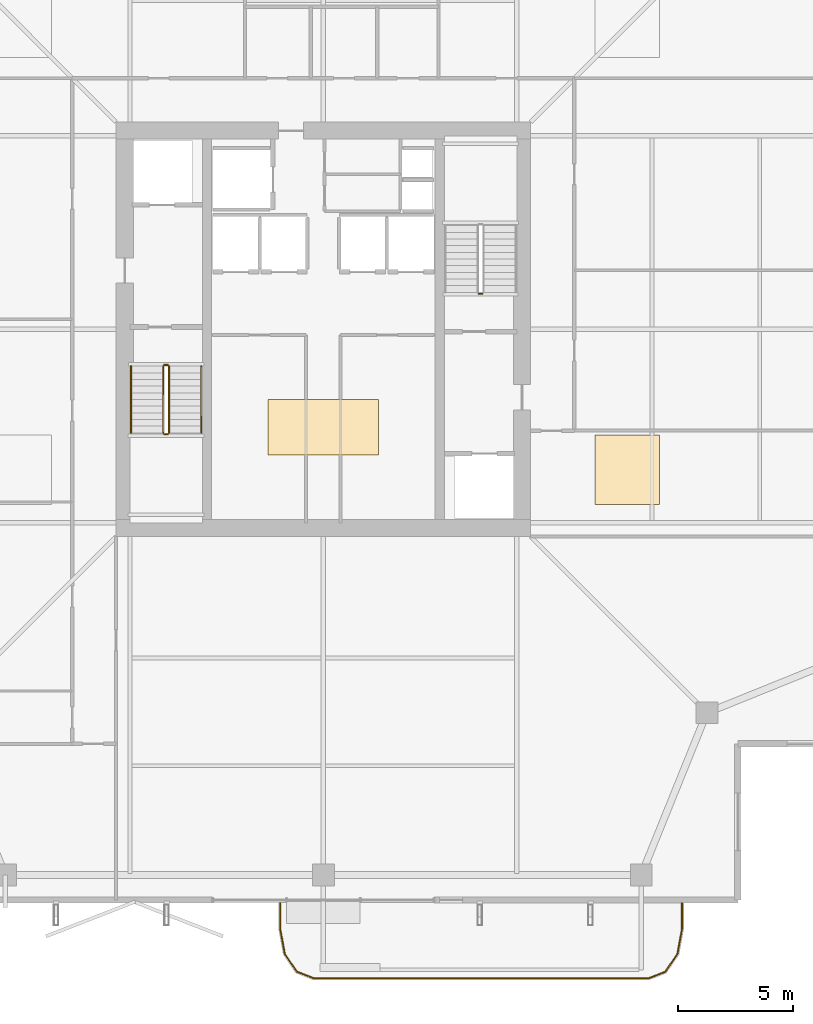
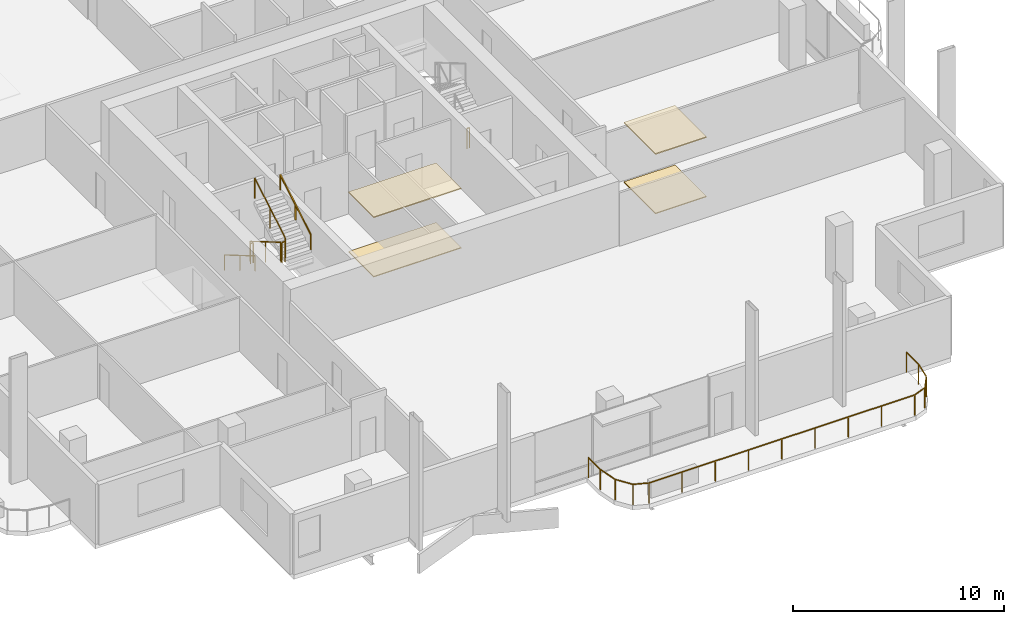
# One storey, part 23 of 25: 8 railings, 4 coverings.
"""IFC4 building model written with IfcOpenShell, lengths in metres."""

import ifcopenshell
import ifcopenshell.guid

model = None  # the IFC model being written
_history = None  # IfcOwnerHistory: only IFC2X3 demands one
_inside = {}  # id of a spatial element -> (the spatial element, [elements in it])
_under = {}  # id of a project, library or spatial element -> (it, [spatial elements below it])
_declared = {}  # id of a project -> (the project, [libraries it declares])
_typed = {}  # id of a type object -> (the type object, [elements of that type])
_made_of = {}  # id of a material, layer set ... -> (it, [elements and type objects made of it])


def new_model(schema):
    """Start an empty IFC model of exactly this schema.

    Asked for "IFC4X3", IfcOpenShell would pick the latest addendum, in which some entities
    have other attributes; the version numbers below select the first issue.
    IFC2X3 requires an IfcOwnerHistory on every rooted entity: one is made here for all.
    """
    global model, _history
    if schema == "IFC4X3":
        model = ifcopenshell.file(schema_version=(4, 3, 0, 0))
    else:
        model = ifcopenshell.file(schema=schema)
    _inside.clear()
    _under.clear()
    _declared.clear()
    _typed.clear()
    _made_of.clear()
    _history = None
    if model.schema == "IFC2X3":
        org = make("IfcOrganization", Name="unknown")
        user = make(
            "IfcPersonAndOrganization",
            ThePerson=make("IfcPerson", FamilyName="unknown"),
            TheOrganization=org,
        )
        app = make(
            "IfcApplication",
            ApplicationDeveloper=org,
            Version="unknown",
            ApplicationFullName="unknown",
            ApplicationIdentifier="unknown",
        )
        _history = make(
            "IfcOwnerHistory",
            OwningUser=user,
            OwningApplication=app,
            ChangeAction="ADDED",
            CreationDate=0,
        )
    return model


def make(cls, **values):
    """One entity of the class cls with the attributes given. An attribute that is None is left unset."""
    return model.create_entity(
        cls, **{name: value for name, value in values.items() if value is not None}
    )


def rooted(cls, **values):
    """An entity with a GlobalId (a new one), such as an element, a storey or a relation."""
    return make(cls, GlobalId=ifcopenshell.guid.new(), OwnerHistory=_history, **values)


def si_unit(unit_type, name, prefix=None):
    """IfcSIUnit, for example si_unit("LENGTHUNIT", "METRE", prefix="MILLI")."""
    return make("IfcSIUnit", UnitType=unit_type, Prefix=prefix, Name=name)


def assignment(units):
    """IfcUnitAssignment: the units of a project."""
    return None if units is None else make("IfcUnitAssignment", Units=units)


def point(xyz):
    """IfcCartesianPoint."""
    return None if xyz is None else make("IfcCartesianPoint", Coordinates=xyz)


def direction(xyz):
    """IfcDirection."""
    return None if xyz is None else make("IfcDirection", DirectionRatios=xyz)


def frame(location, z_axis=None, x_axis=None):
    """IfcAxis2Placement3D, a coordinate frame: its origin and axes. An axis left out is left unset."""
    return make(
        "IfcAxis2Placement3D",
        Location=point(location),
        Axis=direction(z_axis),
        RefDirection=direction(x_axis),
    )


def frame_2d(location, x_axis=None):
    """IfcAxis2Placement2D, a coordinate frame in the plane: its origin and x axis."""
    return make(
        "IfcAxis2Placement2D", Location=point(location), RefDirection=direction(x_axis)
    )


def origin():
    """The frame at (0, 0, 0) with its axes left unset."""
    return frame((0.0, 0.0, 0.0))


def origin_2d():
    """The frame at (0, 0) in the plane with its x axis left unset."""
    return frame_2d((0.0, 0.0))


def place(relative_to, where):
    """IfcLocalPlacement: puts the frame where relative to a parent placement (None: the world)."""
    return make(
        "IfcLocalPlacement", PlacementRelTo=relative_to, RelativePlacement=where
    )


def context(
    kind, dimensions, precision=None, world=None, true_north=None, identifier=None
):
    """IfcGeometricRepresentationContext, for example the 3D "Model" context."""
    return make(
        "IfcGeometricRepresentationContext",
        ContextIdentifier=identifier,
        ContextType=kind,
        CoordinateSpaceDimension=dimensions,
        Precision=precision,
        WorldCoordinateSystem=world,
        TrueNorth=true_north,
    )


def subcontext(parent, identifier, kind, view, scale=None):
    """IfcGeometricRepresentationSubContext, for example "Body" below "Model"."""
    return make(
        "IfcGeometricRepresentationSubContext",
        ContextIdentifier=identifier,
        ContextType=kind,
        ParentContext=parent,
        TargetScale=scale,
        TargetView=view,
    )


def project(units=None, contexts=None):
    """IfcProject with its units and contexts."""
    return rooted(
        "IfcProject",
        Name="project",
        RepresentationContexts=contexts,
        UnitsInContext=assignment(units),
    )


def spatial(cls, under=None, at=None, **own):
    """A site, building, storey or space (cls), placed at a placement, below another one or the project."""
    s = rooted(cls, ObjectPlacement=at, **own)
    if under is not None:
        _under.setdefault(under.id(), (under, []))[1].append(s)
    return s


def polyline(points):
    """IfcPolyline through the points."""
    return make("IfcPolyline", Points=[point(p) for p in points])


def profile(cls, at=None, kind="AREA", **sizes):
    """A parametric profile (cls). Its sizes go by their IFC names, for example OverallWidth=200.0."""
    return make(cls, ProfileType=kind, Position=at, **sizes)


def rectangle(**sizes):
    """IfcRectangleProfileDef."""
    return profile("IfcRectangleProfileDef", **sizes)


def outline(outer, holes=None, kind="AREA"):
    """IfcArbitraryClosedProfileDef: a profile drawn as a closed curve; with holes, ...WithVoids."""
    if holes is None:
        return make("IfcArbitraryClosedProfileDef", ProfileType=kind, OuterCurve=outer)
    return make(
        "IfcArbitraryProfileDefWithVoids",
        ProfileType=kind,
        OuterCurve=outer,
        InnerCurves=holes,
    )


def extrude(swept, where, along, depth):
    """IfcExtrudedAreaSolid: the profile swept, set in the frame where, extruded along a direction by depth."""
    return make(
        "IfcExtrudedAreaSolid",
        SweptArea=swept,
        Position=where,
        ExtrudedDirection=direction(along),
        Depth=depth,
    )


def shape(context_of_items, identifier, shape_type, items):
    """IfcShapeRepresentation: the items that make up one representation, for example the "Body"."""
    return make(
        "IfcShapeRepresentation",
        ContextOfItems=context_of_items,
        RepresentationIdentifier=identifier,
        RepresentationType=shape_type,
        Items=items,
    )


def material(Name=None, Category=None):
    """IfcMaterial."""
    return make("IfcMaterial", Name=Name, Category=Category)


def layer(
    of_material, thickness, ventilated=None, Name=None, Category=None, Priority=None
):
    """IfcMaterialLayer: one layer of a wall or slab, of a material (None: an air gap)."""
    return make(
        "IfcMaterialLayer",
        Material=of_material,
        LayerThickness=thickness,
        IsVentilated=ventilated,
        Name=Name,
        Category=Category,
        Priority=Priority,
    )


def layer_set(layers, Name=None):
    """IfcMaterialLayerSet."""
    return make("IfcMaterialLayerSet", MaterialLayers=layers, LayerSetName=Name)


def made_of(thing, what):
    """Note that an element or type object is made of a material, layer set ...; save() writes the relation."""
    if what is not None:
        _made_of.setdefault(what.id(), (what, []))[1].append(thing)
    return thing


def type_object(cls, material=None, **own):
    """A type object (cls), such as IfcWallType, which elements share."""
    return made_of(rooted(cls, **own), material)


def element(
    cls,
    number,
    at=None,
    inside=None,
    cuts=None,
    type_object=None,
    material=None,
    context=None,
    identifier="Body",
    shape_type=None,
    held_by="IfcProductDefinitionShape",
    body=None,
    shapes=None,
    **own,
):
    """One element of the class cls, such as IfcWall. Its Tag is "e" and its number.

    at: its placement. inside: the storey or other place that contains it. cuts: it is an
    opening in that element (IfcRelVoidsElement). A single representation is given by context,
    identifier, shape_type and body (its items); several are given by shapes. held_by: the class
    of the entity that holds the representations. save() writes the other relations.
    """
    e = rooted(cls, Tag="e%d" % number, ObjectPlacement=at, **own)
    if body is not None:
        shapes = [shape(context, identifier, shape_type, body)]
    if shapes is not None:
        e.Representation = make(held_by, Representations=shapes)
    if inside is not None:
        _inside.setdefault(inside.id(), (inside, []))[1].append(e)
    if cuts is not None:
        rooted(
            "IfcRelVoidsElement", RelatingBuildingElement=cuts, RelatedOpeningElement=e
        )
    if type_object is not None:
        _typed.setdefault(type_object.id(), (type_object, []))[1].append(e)
    return made_of(e, material)


def aggregate(whole, parts):
    """IfcRelAggregates: a whole, such as a stair, and the parts it consists of."""
    return rooted("IfcRelAggregates", RelatingObject=whole, RelatedObjects=parts)


def save(model, path):
    """Write the relations noted so far, then the file.

    IfcRelAggregates (storeys below a building ...), IfcRelContainedInSpatialStructure (elements
    in a storey), IfcRelDefinesByType, IfcRelAssociatesMaterial and IfcRelDeclares: one each for
    every whole, place, type object, material and project.
    """
    for whole, parts in _under.values():
        aggregate(whole, parts)
    for where, things in _inside.values():
        rooted(
            "IfcRelContainedInSpatialStructure",
            RelatedElements=things,
            RelatingStructure=where,
        )
    for kind, things in _typed.values():
        rooted("IfcRelDefinesByType", RelatedObjects=things, RelatingType=kind)
    for what, things in _made_of.values():
        rooted("IfcRelAssociatesMaterial", RelatedObjects=things, RelatingMaterial=what)
    for by, libraries in _declared.values():
        rooted("IfcRelDeclares", RelatingContext=by, RelatedDefinitions=libraries)
    model.write(path)


model = new_model("IFC4")

# Units and contexts
model_context = context("Model", 3, precision=1e-05, world=origin(), true_north=direction((0.0, 1.0)))
body_context = subcontext(model_context, "Body", "Model", "MODEL_VIEW")
ifc_project = project(units=[si_unit("LENGTHUNIT", "METRE"), si_unit("AREAUNIT", "SQUARE_METRE"), si_unit("VOLUMEUNIT", "CUBIC_METRE"), si_unit("PLANEANGLEUNIT", "RADIAN"), si_unit("MASSUNIT", "GRAM", prefix="KILO")], contexts=[model_context])

# Site, building, storey
site_placement = place(None, origin())
site = spatial("IfcSite", under=ifc_project, at=site_placement, CompositionType="ELEMENT")
building_placement = place(site_placement, origin())
building = spatial("IfcBuilding", under=site, at=building_placement, Name="Belovzor Exchange Tower", CompositionType="ELEMENT")
storey_placement = place(building_placement, frame((0.0, 0.0, 257.85009765625)))
storey = spatial("IfcBuildingStorey", under=building, at=storey_placement, Name="L64", CompositionType="ELEMENT", Elevation=257.85009765625)

# Railings
ifc_material_1 = material(Name="Stainless Steel Grade 304", Category="steel")
railing_type_1 = type_object("IfcRailingType", Name="Brushed Stainless Steel Stair Handrail 900", PredefinedType="HANDRAIL", material=ifc_material_1)
railing_1_placement = place(storey_placement, frame((20.449951171875, 27.199951171875, 0.17041015625)))
element("IfcRailing", 1, at=railing_1_placement, inside=storey, type_object=railing_type_1, Name="L64 ST-1 stair handrail 1", PredefinedType="HANDRAIL", context=body_context, shape_type="SweptSolid", body=[
    extrude(rectangle(XDim=0.048095703125, YDim=0.048095703125, at=origin_2d()), frame((0.0, 0.0, 0.8759765625), z_axis=(0.0, -0.86209462966, 0.506747323142), x_axis=(1.0, 0.0, 0.0)), (0.0, 0.0, 1.0), 3.36376953125),
    extrude(rectangle(XDim=0.0419921875, YDim=0.0419921875, at=origin_2d()), origin(), (0.0, 0.0, 1.0), 0.851806640625),
    extrude(rectangle(XDim=0.0419921875, YDim=0.0419921875, at=origin_2d()), frame((0.0, -1.449951171875, 0.852294921875)), (0.0, 0.0, 1.0), 0.851806640625),
    extrude(rectangle(XDim=0.0419921875, YDim=0.0419921875, at=origin_2d()), frame((0.0, -2.89990234375, 1.70458984375)), (0.0, 0.0, 1.0), 0.851806640625),
])
railing_2_placement = place(storey_placement, frame((23.5, 24.300048828125, 2.04541015625)))
element("IfcRailing", 2, at=railing_2_placement, inside=storey, type_object=railing_type_1, Name="L64 ST-1 stair handrail 2", PredefinedType="HANDRAIL", context=body_context, shape_type="SweptSolid", body=[
    extrude(rectangle(XDim=0.048095703125, YDim=0.048095703125, at=origin_2d()), frame((0.0, 0.0, 0.8759765625), z_axis=(0.0, 0.86209462966, 0.506747323142), x_axis=(-1.0, 0.0, 0.0)), (0.0, 0.0, 1.0), 3.36376953125),
    extrude(rectangle(XDim=0.0419921875, YDim=0.0419921875, at=origin_2d()), origin(), (0.0, 0.0, 1.0), 0.851806640625),
    extrude(rectangle(XDim=0.0419921875, YDim=0.0419921875, at=origin_2d()), frame((0.0, 1.449951171875, 0.852294921875)), (0.0, 0.0, 1.0), 0.851806640625),
    extrude(rectangle(XDim=0.0419921875, YDim=0.0419921875, at=origin_2d()), frame((0.0, 2.89990234375, 1.70458984375)), (0.0, 0.0, 1.0), 0.851806640625),
])
ifc_material_2 = material(Name="Stainless Steel and Laminated Safety Glass", Category="steel")
railing_type_2 = type_object("IfcRailingType", Name="Laminated Glass & Stainless Steel Balcony Balustrade 1200", PredefinedType="BALUSTRADE", material=ifc_material_2)
railing_3_placement = place(storey_placement, frame((26.929931640625, 3.889892578125, 0.0)))
element("IfcRailing", 3, at=railing_3_placement, inside=storey, type_object=railing_type_2, Name="GR-1 Balcony Balustrade L64 South", PredefinedType="BALUSTRADE", context=body_context, shape_type="SweptSolid", body=[
    extrude(rectangle(XDim=0.048095703125, YDim=0.048095703125, at=origin_2d()), frame((0.0, 0.0, 1.17578125), z_axis=(0.0, -1.0, 0.0), x_axis=(1.0, 0.0, 0.0)), (0.0, 0.0, 1.0), 1.1328125),
    extrude(rectangle(XDim=0.048095703125, YDim=0.048095703125, at=origin_2d()), frame((0.0, -1.1328125, 1.17578125), z_axis=(0.180083182347, -0.983651385113, 0.0), x_axis=(0.983651385113, 0.180083182347, 0.0)), (0.0, 0.0, 1.0), 1.093994140625),
    extrude(rectangle(XDim=0.048095703125, YDim=0.048095703125, at=origin_2d()), frame((0.197021484375, -2.208984375, 1.17578125), z_axis=(0.56294695933, -0.826493025367, 0.0), x_axis=(0.826493025367, 0.56294695933, 0.0)), (0.0, 0.0, 1.0), 0.932861328125),
    extrude(rectangle(XDim=0.048095703125, YDim=0.048095703125, at=origin_2d()), frame((0.72216796875, -2.97998046875, 1.17578125), z_axis=(0.930766990125, -0.365612923861, 0.0), x_axis=(0.365612923861, 0.930766990125, 0.0)), (0.0, 0.0, 1.0), 0.765869140625),
    extrude(rectangle(XDim=0.048095703125, YDim=0.048095703125, at=origin_2d()), frame((1.43505859375, -3.260009765625, 1.17578125), z_axis=(1.0, 0.0, 0.0), x_axis=(0.0, 1.0, 0.0)), (0.0, 0.0, 1.0), 14.570068359375),
    extrude(rectangle(XDim=0.048095703125, YDim=0.048095703125, at=origin_2d()), frame((16.005126953125, -3.260009765625, 1.17578125), z_axis=(0.930766990125, 0.365612923861, 0.0), x_axis=(-0.365612923861, 0.930766990125, 0.0)), (0.0, 0.0, 1.0), 0.765869140625),
    extrude(rectangle(XDim=0.048095703125, YDim=0.048095703125, at=origin_2d()), frame((16.718017578125, -2.97998046875, 1.17578125), z_axis=(0.56294695933, 0.826493025367, 0.0), x_axis=(-0.826493025367, 0.56294695933, 0.0)), (0.0, 0.0, 1.0), 0.932861328125),
    extrude(rectangle(XDim=0.048095703125, YDim=0.048095703125, at=origin_2d()), frame((17.2431640625, -2.208984375, 1.17578125), z_axis=(0.180083182347, 0.983651385113, 0.0), x_axis=(-0.983651385113, 0.180083182347, 0.0)), (0.0, 0.0, 1.0), 1.093994140625),
    extrude(rectangle(XDim=0.048095703125, YDim=0.048095703125, at=origin_2d()), frame((17.440185546875, -1.1328125, 1.17578125), z_axis=(0.0, 1.0, 0.0), x_axis=(-1.0, 0.0, 0.0)), (0.0, 0.0, 1.0), 1.1328125),
    extrude(rectangle(XDim=0.0419921875, YDim=0.0419921875, at=origin_2d()), origin(), (0.0, 0.0, 1.0), 1.15185546875),
    extrude(rectangle(XDim=0.0419921875, YDim=0.0419921875, at=origin_2d()), frame((0.0, -1.1328125, 0.0)), (0.0, 0.0, 1.0), 1.15185546875),
    extrude(rectangle(XDim=0.0419921875, YDim=0.0419921875, at=origin_2d()), frame((0.197021484375, -2.208984375, 0.0)), (0.0, 0.0, 1.0), 1.15185546875),
    extrude(rectangle(XDim=0.0419921875, YDim=0.0419921875, at=origin_2d()), frame((0.72216796875, -2.97998046875, 0.0)), (0.0, 0.0, 1.0), 1.15185546875),
    extrude(rectangle(XDim=0.0419921875, YDim=0.0419921875, at=origin_2d()), frame((1.43505859375, -3.260009765625, 0.0)), (0.0, 0.0, 1.0), 1.15185546875),
    extrude(rectangle(XDim=0.0419921875, YDim=0.0419921875, at=origin_2d()), frame((3.25634765625, -3.260009765625, 0.0)), (0.0, 0.0, 1.0), 1.15185546875),
    extrude(rectangle(XDim=0.0419921875, YDim=0.0419921875, at=origin_2d()), frame((5.07763671875, -3.260009765625, 0.0)), (0.0, 0.0, 1.0), 1.15185546875),
    extrude(rectangle(XDim=0.0419921875, YDim=0.0419921875, at=origin_2d()), frame((6.89892578125, -3.260009765625, 0.0)), (0.0, 0.0, 1.0), 1.15185546875),
    extrude(rectangle(XDim=0.0419921875, YDim=0.0419921875, at=origin_2d()), frame((8.72021484375, -3.260009765625, 0.0)), (0.0, 0.0, 1.0), 1.15185546875),
    extrude(rectangle(XDim=0.0419921875, YDim=0.0419921875, at=origin_2d()), frame((10.541259765625, -3.260009765625, 0.0)), (0.0, 0.0, 1.0), 1.15185546875),
    extrude(rectangle(XDim=0.0419921875, YDim=0.0419921875, at=origin_2d()), frame((12.362548828125, -3.260009765625, 0.0)), (0.0, 0.0, 1.0), 1.15185546875),
    extrude(rectangle(XDim=0.0419921875, YDim=0.0419921875, at=origin_2d()), frame((14.183837890625, -3.260009765625, 0.0)), (0.0, 0.0, 1.0), 1.15185546875),
    extrude(rectangle(XDim=0.0419921875, YDim=0.0419921875, at=origin_2d()), frame((16.005126953125, -3.260009765625, 0.0)), (0.0, 0.0, 1.0), 1.15185546875),
    extrude(rectangle(XDim=0.0419921875, YDim=0.0419921875, at=origin_2d()), frame((16.718017578125, -2.97998046875, 0.0)), (0.0, 0.0, 1.0), 1.15185546875),
    extrude(rectangle(XDim=0.0419921875, YDim=0.0419921875, at=origin_2d()), frame((17.2431640625, -2.208984375, 0.0)), (0.0, 0.0, 1.0), 1.15185546875),
    extrude(rectangle(XDim=0.0419921875, YDim=0.0419921875, at=origin_2d()), frame((17.440185546875, -1.1328125, 0.0)), (0.0, 0.0, 1.0), 1.15185546875),
    extrude(rectangle(XDim=0.0419921875, YDim=0.0419921875, at=origin_2d()), frame((17.440185546875, 0.0, 0.0)), (0.0, 0.0, 1.0), 1.15185546875),
])
ifc_material_3 = material(Name="Steel S355", Category="steel")
railing_type_3 = type_object("IfcRailingType", Name="Painted Steel Stairwell Guardrail 1200", PredefinedType="GUARDRAIL", material=ifc_material_3)
railing_4_placement = place(storey_placement, frame((21.85009765625, 27.199951171875, 0.17041015625)))
element("IfcRailing", 4, at=railing_4_placement, inside=storey, type_object=railing_type_3, Name="L64 ST-1 stair guard 1", PredefinedType="GUARDRAIL", context=body_context, shape_type="SweptSolid", body=[
    extrude(rectangle(XDim=0.048095703125, YDim=0.048095703125, at=origin_2d()), frame((0.0, 0.0, 1.17578125), z_axis=(0.0, -0.86209462966, 0.506747323142), x_axis=(1.0, 0.0, 0.0)), (0.0, 0.0, 1.0), 3.36376953125),
    extrude(rectangle(XDim=0.0419921875, YDim=0.0419921875, at=origin_2d()), origin(), (0.0, 0.0, 1.0), 1.15185546875),
    extrude(rectangle(XDim=0.0419921875, YDim=0.0419921875, at=origin_2d()), frame((0.0, -1.449951171875, 0.852294921875)), (0.0, 0.0, 1.0), 1.15185546875),
    extrude(rectangle(XDim=0.0419921875, YDim=0.0419921875, at=origin_2d()), frame((0.0, -2.89990234375, 1.70458984375)), (0.0, 0.0, 1.0), 1.15185546875),
])
railing_5_placement = place(storey_placement, frame((21.89990234375, 24.25, 1.875)))
element("IfcRailing", 5, at=railing_5_placement, inside=storey, type_object=railing_type_3, Name="L64 ST-1 stair guard 2", PredefinedType="GUARDRAIL", context=body_context, shape_type="SweptSolid", body=[
    extrude(rectangle(XDim=0.048095703125, YDim=0.048095703125, at=origin_2d()), frame((0.0, 0.0, 1.17578125), z_axis=(1.0, 0.0, 0.0), x_axis=(0.0, 1.0, 0.0)), (0.0, 0.0, 1.0), 0.150146484375),
    extrude(rectangle(XDim=0.0419921875, YDim=0.0419921875, at=origin_2d()), origin(), (0.0, 0.0, 1.0), 1.15185546875),
    extrude(rectangle(XDim=0.0419921875, YDim=0.0419921875, at=origin_2d()), frame((0.150146484375, 0.0, 0.0)), (0.0, 0.0, 1.0), 1.15185546875),
])
railing_6_placement = place(storey_placement, frame((22.10009765625, 24.300048828125, 2.04541015625)))
element("IfcRailing", 6, at=railing_6_placement, inside=storey, type_object=railing_type_3, Name="L64 ST-1 stair guard 3", PredefinedType="GUARDRAIL", context=body_context, shape_type="SweptSolid", body=[
    extrude(rectangle(XDim=0.048095703125, YDim=0.048095703125, at=origin_2d()), frame((0.0, 0.0, 1.17578125), z_axis=(0.0, 0.86209462966, 0.506747323142), x_axis=(-1.0, 0.0, 0.0)), (0.0, 0.0, 1.0), 3.36376953125),
    extrude(rectangle(XDim=0.0419921875, YDim=0.0419921875, at=origin_2d()), origin(), (0.0, 0.0, 1.0), 1.15185546875),
    extrude(rectangle(XDim=0.0419921875, YDim=0.0419921875, at=origin_2d()), frame((0.0, 1.449951171875, 0.852294921875)), (0.0, 0.0, 1.0), 1.15185546875),
    extrude(rectangle(XDim=0.0419921875, YDim=0.0419921875, at=origin_2d()), frame((0.0, 2.89990234375, 1.70458984375)), (0.0, 0.0, 1.0), 1.15185546875),
])
railing_7_placement = place(storey_placement, frame((21.89990234375, 27.25, 0.0)))
element("IfcRailing", 7, at=railing_7_placement, inside=storey, type_object=railing_type_3, Name="L64 ST-1 stair guard 4", PredefinedType="GUARDRAIL", context=body_context, shape_type="SweptSolid", body=[
    extrude(rectangle(XDim=0.048095703125, YDim=0.048095703125, at=origin_2d()), frame((0.0, 0.0, 1.17578125), z_axis=(1.0, 0.0, 0.0), x_axis=(0.0, 1.0, 0.0)), (0.0, 0.0, 1.0), 0.150146484375),
    extrude(rectangle(XDim=0.0419921875, YDim=0.0419921875, at=origin_2d()), origin(), (0.0, 0.0, 1.0), 1.15185546875),
    extrude(rectangle(XDim=0.0419921875, YDim=0.0419921875, at=origin_2d()), frame((0.150146484375, 0.0, 0.0)), (0.0, 0.0, 1.0), 1.15185546875),
])
railing_8_placement = place(storey_placement, frame((35.699951171875, 30.35009765625, 0.0)))
element("IfcRailing", 8, at=railing_8_placement, inside=storey, type_object=railing_type_3, Name="L64 ST-2 stair guard 4", PredefinedType="GUARDRAIL", context=body_context, shape_type="SweptSolid", body=[
    extrude(rectangle(XDim=0.048095703125, YDim=0.048095703125, at=origin_2d()), frame((0.0, 0.0, 1.17578125), z_axis=(-1.0, 0.0, 0.0), x_axis=(0.0, -1.0, 0.0)), (0.0, 0.0, 1.0), 0.14990234375),
    extrude(rectangle(XDim=0.0419921875, YDim=0.0419921875, at=origin_2d()), origin(), (0.0, 0.0, 1.0), 1.15185546875),
    extrude(rectangle(XDim=0.0419921875, YDim=0.0419921875, at=origin_2d()), frame((-0.14990234375, 0.0, 0.0)), (0.0, 0.0, 1.0), 1.15185546875),
])

# Coverings
ifc_material_4 = material(Name="Perforated Powder-Coated Aluminium", Category="aluminium")
ifc_layer_1 = layer(ifc_material_4, 0.06005859375)
ifc_layer_set_1 = layer_set([ifc_layer_1], Name="Perforated Powder-Coated Aluminium")
covering_type_1 = type_object("IfcCoveringType", Name="Perforated Acoustic Metal Tile Suspended Ceiling 60", PredefinedType="CEILING", material=ifc_layer_set_1)
covering_1_placement = place(storey_placement, frame((0.0, 0.0, 3.43994140625)))
element("IfcCovering", 9, at=covering_1_placement, inside=storey, type_object=covering_type_1, Name="CLG-AC60 Suspended Ceiling CLG-L64-LOB", PredefinedType="CEILING", context=body_context, shape_type="SweptSolid", body=[
    extrude(outline(polyline([(26.39990234375, 23.35009765625), (31.199951171875, 23.35009765625), (31.199951171875, 25.75), (26.39990234375, 25.75), (26.39990234375, 23.35009765625)])), origin(), (0.0, 0.0, 1.0), 0.06005859375),
])
covering_2_placement = place(storey_placement, frame((0.0, 0.0, 3.43994140625)))
element("IfcCovering", 10, at=covering_2_placement, inside=storey, type_object=covering_type_1, Name="CLG-AC60 Suspended Ceiling CLG-L64-Z0", PredefinedType="CEILING", context=body_context, shape_type="SweptSolid", body=[
    extrude(outline(polyline([(40.60009765625, 21.199951171875), (43.39990234375, 21.199951171875), (43.39990234375, 24.199951171875), (40.60009765625, 24.199951171875), (40.60009765625, 21.199951171875)])), origin(), (0.0, 0.0, 1.0), 0.06005859375),
])
ifc_material_5 = material(Name="Polished Natural Granite Tile", Category="masonry")
ifc_layer_2 = layer(ifc_material_5, 0.050048828125)
ifc_layer_set_2 = layer_set([ifc_layer_2], Name="Polished Natural Granite Tile")
covering_type_2 = type_object("IfcCoveringType", Name="Polished Karelian Granite & Raised Access Floor Finish 50", PredefinedType="FLOORING", material=ifc_layer_set_2)
covering_3_placement = place(storey_placement, origin())
element("IfcCovering", 11, at=covering_3_placement, inside=storey, type_object=covering_type_2, Name="FLR-GR50 Floor Finish FLR-L64-LOB", PredefinedType="FLOORING", context=body_context, shape_type="SweptSolid", body=[
    extrude(outline(polyline([(26.39990234375, 23.35009765625), (31.199951171875, 23.35009765625), (31.199951171875, 25.75), (26.39990234375, 25.75), (26.39990234375, 23.35009765625)])), origin(), (0.0, 0.0, 1.0), 0.0498046875),
])
covering_4_placement = place(storey_placement, origin())
element("IfcCovering", 12, at=covering_4_placement, inside=storey, type_object=covering_type_2, Name="FLR-GR50 Floor Finish FLR-L64-Z0", PredefinedType="FLOORING", context=body_context, shape_type="SweptSolid", body=[
    extrude(outline(polyline([(40.60009765625, 21.199951171875), (43.39990234375, 21.199951171875), (43.39990234375, 24.199951171875), (40.60009765625, 24.199951171875), (40.60009765625, 21.199951171875)])), origin(), (0.0, 0.0, 1.0), 0.0498046875),
])

save(model, "model.ifc")
